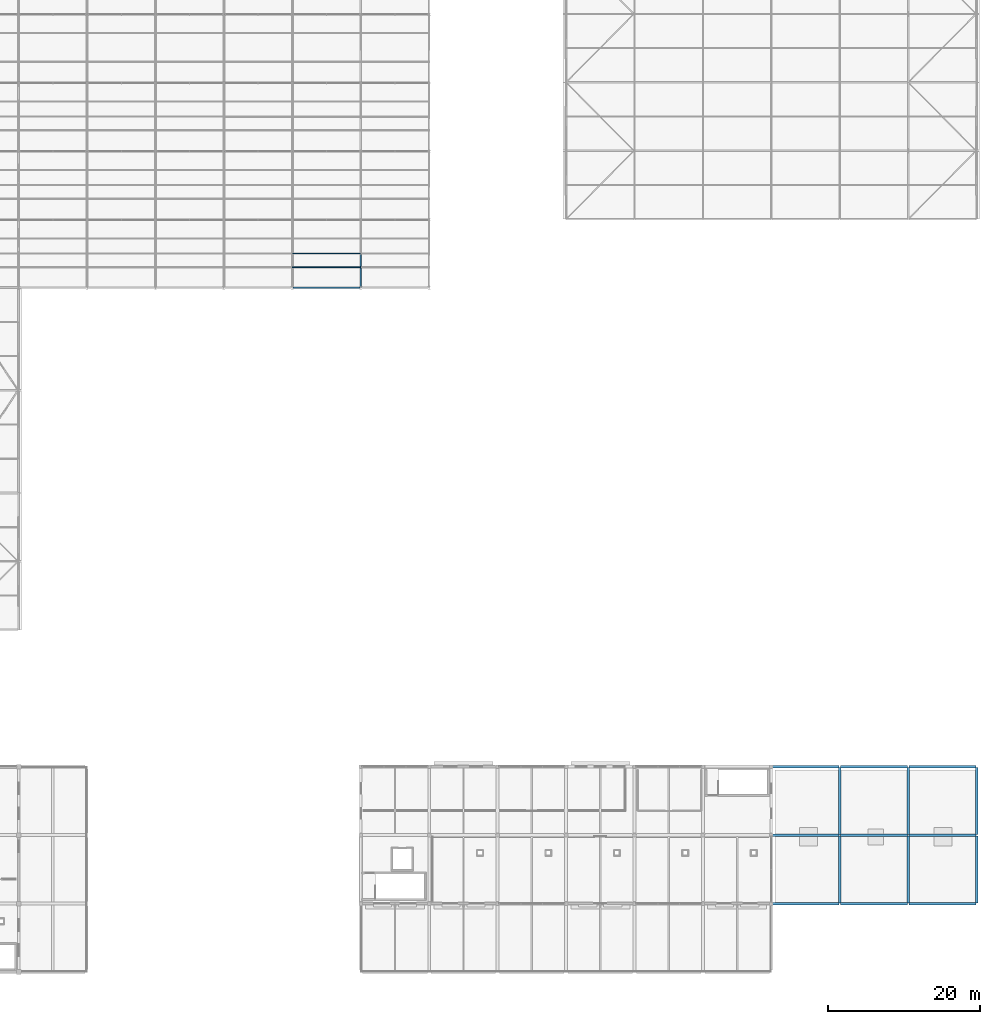
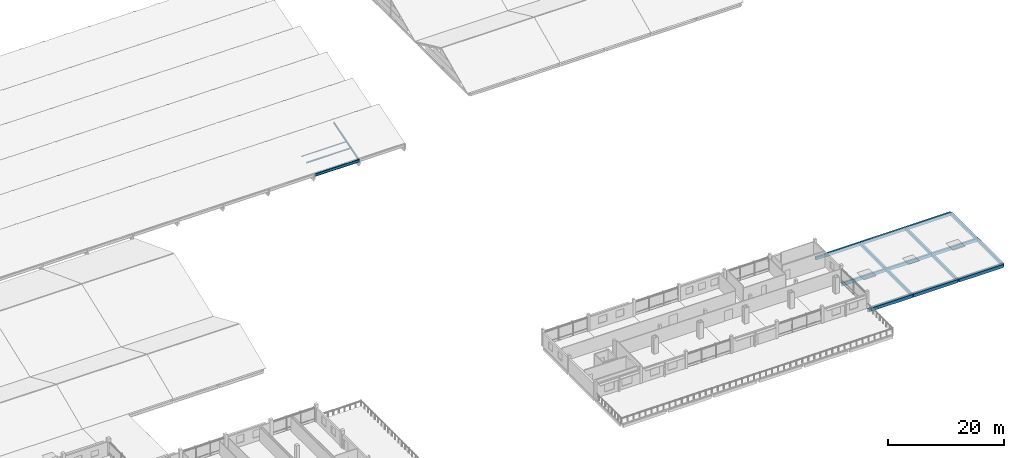
# One storey, part 76 of 163: 16 beams, 3 members.
"""IFC4 building model written with IfcOpenShell, lengths in metres."""

from ifc_helpers import new_model, si_unit, direction, frame, origin, origin_2d, place, context, subcontext, project, spatial, rectangle, hollow_rectangle, i_section, extrude, material, material_profile, profile_set, type_object, element, save


model = new_model("IFC4")

# Units and contexts
model_context = context("Model", 3, precision=1e-05, world=origin(), true_north=direction((0.0, 1.0)))
body_context = subcontext(model_context, "Body", "Model", "MODEL_VIEW")
ifc_project = project(units=[si_unit("LENGTHUNIT", "METRE"), si_unit("AREAUNIT", "SQUARE_METRE"), si_unit("VOLUMEUNIT", "CUBIC_METRE"), si_unit("PLANEANGLEUNIT", "RADIAN"), si_unit("MASSUNIT", "GRAM", prefix="KILO")], contexts=[model_context])

# Site, building, storey
site_placement = place(None, origin())
site = spatial("IfcSite", under=ifc_project, at=site_placement, CompositionType="ELEMENT")
building_placement = place(site_placement, origin())
building = spatial("IfcBuilding", under=site, at=building_placement, Name="Tharagai Park Tramway Depot", CompositionType="ELEMENT")
storey_placement = place(building_placement, frame((0.0, 0.0, 8.39990234375)))
storey = spatial("IfcBuildingStorey", under=building, at=storey_placement, Name="L02", CompositionType="ELEMENT", Elevation=8.39990234375)

# Beams
ifc_material_1 = material(Name="Steel E350", Category="steel")
ifc_material_profile_1 = material_profile(ifc_material_1, i_section(OverallWidth=0.18994140625, OverallDepth=0.550048828125, WebThickness=0.01123046875, FlangeThickness=0.019287109375, FilletRadius=0.01806640625, at=origin_2d()), Name="ISMB 550")
ifc_profile_set_1 = profile_set([ifc_material_profile_1], Name="Steel E350")
beam_type_1 = type_object("IfcBeamType", Name="BM-09", PredefinedType="BEAM", material=ifc_profile_set_1)
beam_placement = place(storey_placement, frame((126.080078125, 90.0, 0.72509765625), z_axis=(1.0, 0.0, 0.0), x_axis=(0.0, 1.0, 0.0)))
element("IfcBeam", 1, at=beam_placement, inside=storey, type_object=beam_type_1, Name="Sawtooth Valley Girder BM-09", PredefinedType="BEAM", context=body_context, shape_type="SweptSolid", body=[
    extrude(i_section(OverallWidth=0.18994140625, OverallDepth=0.550048828125, WebThickness=0.01123046875, FlangeThickness=0.019287109375, FilletRadius=0.01806640625, at=origin_2d()), origin(), (0.0, 0.0, 1.0), 8.83984375),
])
ifc_material_2 = material(Name="Concrete M35", Category="concrete")
ifc_material_profile_2 = material_profile(ifc_material_2, rectangle(XDim=0.35009765625, YDim=0.64990234375, at=origin_2d()), Name="RC 350x650")
ifc_profile_set_2 = profile_set([ifc_material_profile_2], Name="Concrete M35")
beam_type_2 = type_object("IfcBeamType", Name="BM-13", PredefinedType="BEAM", material=ifc_profile_set_2)
for number, where, z_axis, x_axis, name in (
    (2, (198.0, 9.080078125, -0.56494140625), (0.0, 1.0, 0.0), (-1.0, 0.0, 0.0), "L02 Roof Support Beam BM-13"),
    (3, (198.0, 18.080078125, -0.56494140625), (0.0, 1.0, 0.0), (-1.0, 0.0, 0.0), "L02 Roof Support Beam BM-13"),
    (4, (207.0, 9.080078125, -0.56494140625), (0.0, 1.0, 0.0), (-1.0, 0.0, 0.0), "L02 Roof Support Beam BM-13"),
    (5, (207.0, 18.080078125, -0.56494140625), (0.0, 1.0, 0.0), (-1.0, 0.0, 0.0), "L02 Roof Support Beam BM-13"),
    (6, (216.0, 9.080078125, -0.56494140625), (0.0, 1.0, 0.0), (-1.0, 0.0, 0.0), "L02 Roof Support Beam BM-13"),
    (7, (216.0, 18.080078125, -0.56494140625), (0.0, 1.0, 0.0), (-1.0, 0.0, 0.0), "L02 Roof Support Beam BM-13"),
    (8, (189.080078125, 9.0, -0.56494140625), (1.0, 0.0, 0.0), (0.0, 1.0, 0.0), "L02 Roof Support Beam BM-13"),
    (9, (198.080078125, 9.0, -0.56494140625), (1.0, 0.0, 0.0), (0.0, 1.0, 0.0), "L02 Roof Support Beam BM-13"),
    (10, (207.080078125, 9.0, -0.56494140625), (1.0, 0.0, 0.0), (0.0, 1.0, 0.0), "L02 Roof Support Beam BM-13"),
    (11, (189.080078125, 18.0, -0.56494140625), (1.0, 0.0, 0.0), (0.0, 1.0, 0.0), "L02 Roof Support Beam BM-13"),
    (12, (198.080078125, 18.0, -0.56494140625), (1.0, 0.0, 0.0), (0.0, 1.0, 0.0), "L02 Roof Support Beam BM-13"),
    (13, (207.080078125, 18.0, -0.56494140625), (1.0, 0.0, 0.0), (0.0, 1.0, 0.0), "L02 Roof Support Beam BM-13"),
    (14, (189.080078125, 27.0, -0.56494140625), (1.0, 0.0, 0.0), (0.0, 1.0, 0.0), "L02 Roof Support Beam BM-13"),
    (15, (198.080078125, 27.0, -0.56494140625), (1.0, 0.0, 0.0), (0.0, 1.0, 0.0), "L02 Roof Support Beam BM-13"),
    (16, (207.080078125, 27.0, -0.56494140625), (1.0, 0.0, 0.0), (0.0, 1.0, 0.0), "L02 Roof Support Beam BM-13"),
):
    element("IfcBeam", number, at=place(storey_placement, frame(where, z_axis=z_axis, x_axis=x_axis)), inside=storey, type_object=beam_type_2, Name=name, PredefinedType="BEAM", context=body_context, shape_type="SweptSolid", body=[
        extrude(rectangle(XDim=0.35009765625, YDim=0.64990234375, at=origin_2d()), origin(), (0.0, 0.0, 1.0), 8.83984375),
    ])

# Members
ifc_material_3 = material(Name="Steel E250", Category="steel")
ifc_material_profile_3 = material_profile(ifc_material_3, i_section(OverallWidth=0.10009765625, OverallDepth=0.199951171875, WebThickness=0.005615234375, FlangeThickness=0.0107421875, FilletRadius=0.010986328125, at=origin_2d()), Name="ISMB 200")
ifc_profile_set_3 = profile_set([ifc_material_profile_3], Name="Steel E250")
member_type_1 = type_object("IfcMemberType", Name="PR-04", PredefinedType="PURLIN", material=ifc_profile_set_3)
member_1_placement = place(storey_placement, frame((126.02001953125, 92.699951171875, 1.733154296875), z_axis=(1.0, 0.0, 0.0), x_axis=(0.0, 1.0, 0.0)))
element("IfcMember", 17, at=member_1_placement, inside=storey, type_object=member_type_1, Name="Sawtooth Roof Purlin PR-04", PredefinedType="PURLIN", context=body_context, shape_type="SweptSolid", body=[
    extrude(i_section(OverallWidth=0.10009765625, OverallDepth=0.199951171875, WebThickness=0.005615234375, FlangeThickness=0.0107421875, FilletRadius=0.010986328125, at=origin_2d()), origin(), (0.0, 0.0, 1.0), 8.9599609375),
])
ifc_material_profile_4 = material_profile(ifc_material_1, hollow_rectangle(XDim=0.1201171875, YDim=0.219970703125, WallThickness=0.008056640625, InnerFilletRadius=0.008056640625, OuterFilletRadius=0.01611328125, at=origin_2d()), Name="RHS 220x120x8")
ifc_profile_set_4 = profile_set([ifc_material_profile_4], Name="Steel E350")
member_type_2 = type_object("IfcMemberType", Name="TC-03", PredefinedType="CHORD", material=ifc_profile_set_4)
member_2_placement = place(storey_placement, frame((126.02001953125, 94.5, 1.946533203125), z_axis=(1.0, 0.0, 0.0), x_axis=(0.0, 1.0, 0.0)))
element("IfcMember", 18, at=member_2_placement, inside=storey, type_object=member_type_2, Name="Sawtooth Tubular Tie Strut TC-03", PredefinedType="CHORD", context=body_context, shape_type="SweptSolid", body=[
    extrude(hollow_rectangle(XDim=0.1201171875, YDim=0.219970703125, WallThickness=0.008056640625, InnerFilletRadius=0.008056640625, OuterFilletRadius=0.01611328125, at=origin_2d()), origin(), (0.0, 0.0, 1.0), 8.9599609375),
])
ifc_material_profile_5 = material_profile(ifc_material_1, i_section(OverallWidth=0.14990234375, OverallDepth=0.449951171875, WebThickness=0.009521484375, FlangeThickness=0.017333984375, FilletRadius=0.014892578125, at=origin_2d()), Name="ISMB 450")
ifc_profile_set_5 = profile_set([ifc_material_profile_5], Name="Steel E350")
member_type_3 = type_object("IfcMemberType", Name="TC-05", PredefinedType="CHORD", material=ifc_profile_set_5)
member_3_placement = place(storey_placement, frame((135.0, 90.06005859375, 0.587890625), z_axis=(0.0, 0.956231486327, 0.29261125159), x_axis=(-1.0, 0.0, 0.0)))
element("IfcMember", 19, at=member_3_placement, inside=storey, type_object=member_type_3, Name="Sawtooth Top Chord TC-05", PredefinedType="CHORD", context=body_context, shape_type="SweptSolid", body=[
    extrude(i_section(OverallWidth=0.14990234375, OverallDepth=0.449951171875, WebThickness=0.009521484375, FlangeThickness=0.017333984375, FilletRadius=0.014892578125, at=origin_2d()), origin(), (0.0, 0.0, 1.0), 9.286376953125),
])

save(model, "model.ifc")
